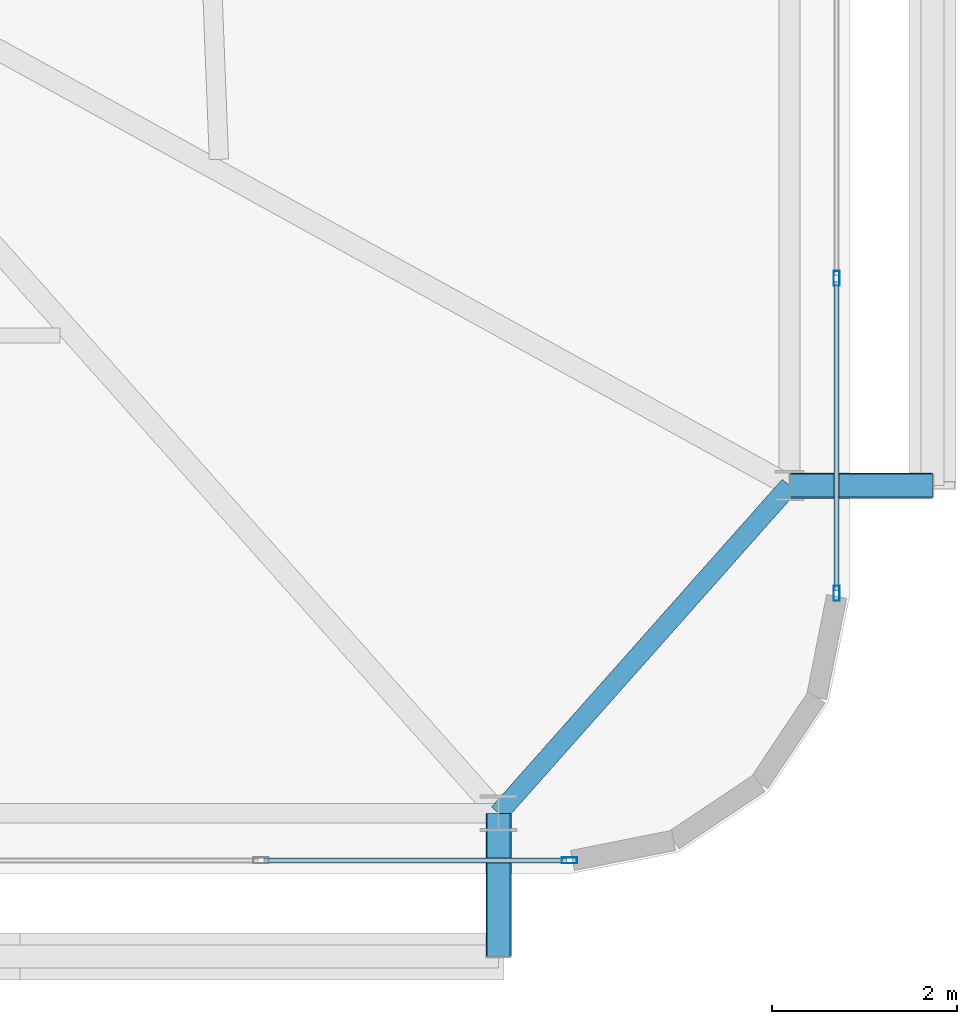
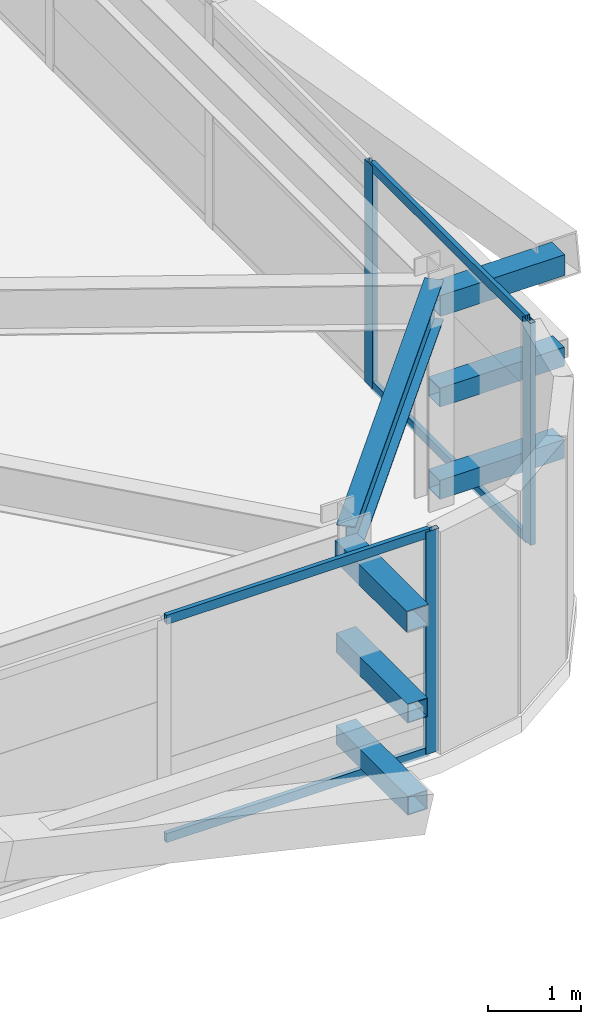
# One storey, part 24 of 58: 13 members, 1 beam, 2 elements without a shape of their own.
"""IFC4 building model written with IfcOpenShell, lengths in metres."""

from ifc_helpers import new_model, si_unit, direction, frame, origin, origin_2d, place, context, subcontext, project, spatial, hollow_rectangle, i_section, extrude, source, transform, mapped, material, layer, layer_set, material_profile, profile_set, type_object, element, aggregate, save


model = new_model("IFC4")

# Units and contexts
model_context = context("Model", 3, precision=1e-05, world=origin(), true_north=direction((0.0, 1.0)))
body_context = subcontext(model_context, "Body", "Model", "MODEL_VIEW")
ifc_project = project(units=[si_unit("LENGTHUNIT", "METRE"), si_unit("AREAUNIT", "SQUARE_METRE"), si_unit("VOLUMEUNIT", "CUBIC_METRE"), si_unit("PLANEANGLEUNIT", "RADIAN"), si_unit("MASSUNIT", "GRAM", prefix="KILO")], contexts=[model_context])

# Site, building, storey
site_placement = place(None, origin())
site = spatial("IfcSite", under=ifc_project, at=site_placement, CompositionType="ELEMENT")
building_placement = place(site_placement, origin())
building = spatial("IfcBuilding", under=site, at=building_placement, Name="Taldren Reach Tower", CompositionType="ELEMENT")
storey_placement = place(building_placement, frame((0.0, 0.0, 32.550048828125)))
storey = spatial("IfcBuildingStorey", under=building, at=storey_placement, Name="L09", CompositionType="ELEMENT", Elevation=32.550048828125)

# Beam
ifc_material_1 = material(Name="Steel Gr 350 (350PLUS)", Category="steel")
ifc_material_profile_1 = material_profile(ifc_material_1, i_section(OverallWidth=0.208984375, OverallDepth=0.528076171875, WebThickness=0.009521484375, FlangeThickness=0.01318359375, at=origin_2d()), Name="530UB82.0")
ifc_profile_set_1 = profile_set([ifc_material_profile_1], Name="Steel Gr 350 (350PLUS)")
beam_type = type_object("IfcBeamType", Name="SP-UB530B", PredefinedType="SPANDREL", material=ifc_profile_set_1)
shared_shape_1 = source(origin(), body_context, "Body", "SweptSolid", [
    extrude(i_section(OverallWidth=0.208984375, OverallDepth=0.528076171875, WebThickness=0.009521484375, FlangeThickness=0.01318359375, at=origin_2d()), origin(), (0.0, 0.0, 1.0), 4.74609375),
])
beam_placement = place(storey_placement, frame((61.199951171875, 2.14990234375, 2.666015625), z_axis=(0.663721843779, 0.747979487747, 0.0), x_axis=(-0.747979487747, 0.663721843779, 0.0)))
element("IfcBeam", 1, at=beam_placement, inside=storey, type_object=beam_type, Name="Perimeter spandrel B1 S6-E1 L09", PredefinedType="SPANDREL", context=body_context, shape_type="MappedRepresentation", body=[
    mapped(shared_shape_1, transform((0.0, 0.0, 0.0), scale=1.0)),
])

# Members
ifc_material_2 = material(Name="Steel Gr 450 (C450L0)", Category="steel")
ifc_material_profile_2 = material_profile(ifc_material_2, hollow_rectangle(XDim=0.27490234375, YDim=0.27490234375, WallThickness=0.00927734375, at=origin_2d()), Name="275x275x9.3SHS")
ifc_profile_set_2 = profile_set([ifc_material_profile_2], Name="Steel Gr 450 (C450L0)")
member_type_1 = type_object("IfcMemberType", Name="MB-TIE273", PredefinedType="STRUT", material=ifc_profile_set_2)
shared_shape_2 = source(origin(), body_context, "Body", "SweptSolid", [
    extrude(hollow_rectangle(XDim=0.27490234375, YDim=0.27490234375, WallThickness=0.00927734375, at=origin_2d()), origin(), (0.0, 0.0, 1.0), 1.5498046875),
])
for number, where, z_axis, x_axis, name in (
    (2, (61.199951171875, 2.14990234375, 2.64990234375), (0.0, -1.0, 0.0), (1.0, 0.0, 0.0), "Exoskeleton diaphragm tie strut B1-S6 L09"),
    (3, (64.35009765625, 5.699951171875, 2.64990234375), (1.0, 0.0, 0.0), (0.0, 1.0, 0.0), "Exoskeleton diaphragm tie strut B1-E1 L09"),
):
    element("IfcMember", number, at=place(storey_placement, frame(where, z_axis=z_axis, x_axis=x_axis)), inside=storey, type_object=member_type_1, Name=name, PredefinedType="STRUT", context=body_context, shape_type="MappedRepresentation", body=[
        mapped(shared_shape_2, transform((0.0, 0.0, 0.0), scale=1.0)),
    ])
ifc_material_3 = material(Name="Steel Gr 350 (C350L0)", Category="steel")
ifc_material_profile_3 = material_profile(ifc_material_3, hollow_rectangle(XDim=0.25, YDim=0.25, WallThickness=0.010009765625, at=origin_2d()), Name="250x250x10.0SHS")
ifc_profile_set_3 = profile_set([ifc_material_profile_3], Name="Steel Gr 350 (C350L0)")
member_type_2 = type_object("IfcMemberType", Name="MB-POST250", PredefinedType="POST", material=ifc_profile_set_3)
shared_shape_3 = source(origin(), body_context, "Body", "SweptSolid", [
    extrude(hollow_rectangle(XDim=0.25, YDim=0.25, WallThickness=0.010009765625, at=origin_2d()), origin(), (0.0, 0.0, 1.0), 1.5498046875),
])
for number, where, z_axis, x_axis, name in (
    (4, (61.199951171875, 2.14990234375, 0.219970703125), (0.0, -1.0, 0.0), (1.0, 0.0, 0.0), "Exoskeleton base diaphragm tie strut B1-S6 L09"),
    (5, (64.35009765625, 5.699951171875, 0.219970703125), (1.0, 0.0, 0.0), (0.0, 1.0, 0.0), "Exoskeleton base diaphragm tie strut B1-E1 L09"),
    (6, (61.199951171875, 2.14990234375, 1.43505859375), (0.0, -1.0, 0.0), (1.0, 0.0, 0.0), "Exoskeleton mid-tier diaphragm tie B1-S6 L09"),
    (7, (64.35009765625, 5.699951171875, 1.43505859375), (1.0, 0.0, 0.0), (0.0, 1.0, 0.0), "Exoskeleton mid-tier diaphragm tie B1-E1 L09"),
):
    element("IfcMember", number, at=place(storey_placement, frame(where, z_axis=z_axis, x_axis=x_axis)), inside=storey, type_object=member_type_2, Name=name, PredefinedType="POST", context=body_context, shape_type="MappedRepresentation", body=[
        mapped(shared_shape_3, transform((0.0, 0.0, 0.0), scale=1.0)),
    ])

# Curtain wall, member
ifc_material_4 = material(Name="Aluminium and Low-E Glass Unitised System", Category="aluminium")
ifc_layer = layer(ifc_material_4, 0.159912109375)
ifc_layer_set = layer_set([ifc_layer], Name="Aluminium and Low-E Glass Unitised System")
curtain_wall_type = type_object("IfcCurtainWallType", Name="CW-SYS-2", PredefinedType="NOTDEFINED", material=ifc_layer_set)
curtain_wall_1_placement = place(storey_placement, origin())
curtain_wall_1 = element("IfcCurtainWall", 8, at=curtain_wall_1_placement, inside=storey, type_object=curtain_wall_type, Name="Unitised curtain wall CW-L09-S", PredefinedType="NOTDEFINED")
ifc_material_5 = material(Name="Anodised Aluminium 6063-T6", Category="aluminium")
ifc_material_profile_4 = material_profile(ifc_material_5, hollow_rectangle(XDim=0.06494140625, YDim=0.1650390625, WallThickness=0.00390625, at=origin_2d()), Name="ALU-165x65x4RHS")
ifc_profile_set_4 = profile_set([ifc_material_profile_4], Name="Anodised Aluminium 6063-T6")
member_type_3 = type_object("IfcMemberType", Name="CW-MUL-165", PredefinedType="MULLION", material=ifc_profile_set_4)
shared_shape_4 = source(origin(), body_context, "Body", "SweptSolid", [
    extrude(hollow_rectangle(XDim=0.06494140625, YDim=0.1650390625, WallThickness=0.00390625, at=origin_2d()), origin(), (0.0, 0.0, 1.0), 2.929931640625),
])
member_1_placement = place(storey_placement, frame((61.967529296875, 1.639892578125, 0.0), z_axis=(0.0, 0.0, 1.0), x_axis=(0.0, 1.0, 0.0)))
member_1 = element("IfcMember", 9, at=member_1_placement, type_object=member_type_3, Name="CW-2 mullion 17", PredefinedType="MULLION", context=body_context, shape_type="MappedRepresentation", body=[
    mapped(shared_shape_4, transform((0.0, 0.0, 0.0), scale=1.0)),
])

# Curtain wall, members
curtain_wall_2_placement = place(storey_placement, origin())
curtain_wall_2 = element("IfcCurtainWall", 10, at=curtain_wall_2_placement, inside=storey, type_object=curtain_wall_type, Name="Unitised curtain wall CW-L09-E", PredefinedType="NOTDEFINED")
member_2_placement = place(storey_placement, frame((64.860107421875, 4.532470703125, 0.0), z_axis=(0.0, 0.0, 1.0), x_axis=(-1.0, 0.0, 0.0)))
member_2 = element("IfcMember", 11, at=member_2_placement, type_object=member_type_3, Name="CW-2 mullion 1", PredefinedType="MULLION", context=body_context, shape_type="MappedRepresentation", body=[
    mapped(shared_shape_4, transform((0.0, 0.0, 0.0), scale=1.0)),
])
member_3_placement = place(storey_placement, frame((64.860107421875, 7.9443359375, 0.0), z_axis=(0.0, 0.0, 1.0), x_axis=(-1.0, 0.0, 0.0)))
member_3 = element("IfcMember", 12, at=member_3_placement, type_object=member_type_3, Name="CW-2 mullion 2", PredefinedType="MULLION", context=body_context, shape_type="MappedRepresentation", body=[
    mapped(shared_shape_4, transform((0.0, 0.0, 0.0), scale=1.0)),
])

# Member
ifc_material_profile_5 = material_profile(ifc_material_5, hollow_rectangle(XDim=0.054931640625, YDim=0.1201171875, WallThickness=0.0029296875, at=origin_2d()), Name="ALU-120x55x3RHS")
ifc_profile_set_5 = profile_set([ifc_material_profile_5], Name="Anodised Aluminium 6063-T6")
member_type_4 = type_object("IfcMemberType", Name="CW-TRN-135", PredefinedType="USERDEFINED", material=ifc_profile_set_5)
shared_shape_5 = source(origin(), body_context, "Body", "SweptSolid", [
    extrude(hollow_rectangle(XDim=0.054931640625, YDim=0.1201171875, WallThickness=0.0029296875, at=origin_2d()), origin(), (0.0, 0.0, 1.0), 3.277587890625),
])
member_4_placement = place(storey_placement, frame((58.657470703125, 1.639892578125, 0.02734375), z_axis=(1.0, 0.0, 0.0), x_axis=(0.0, 1.0, 0.0)))
member_4 = element("IfcMember", 13, at=member_4_placement, type_object=member_type_4, Name="CW-2 transom 16.1", ObjectType="TRANSOM", PredefinedType="USERDEFINED", context=body_context, shape_type="MappedRepresentation", body=[
    mapped(shared_shape_5, transform((0.0, 0.0, 0.0), scale=1.0)),
])

member_5_placement = place(storey_placement, frame((58.657470703125, 1.639892578125, 2.90234375), z_axis=(1.0, 0.0, 0.0), x_axis=(0.0, 1.0, 0.0)))
member_5 = element("IfcMember", 14, at=member_5_placement, type_object=member_type_4, Name="CW-2 transom 16.2", ObjectType="TRANSOM", PredefinedType="USERDEFINED", context=body_context, shape_type="MappedRepresentation", body=[
    mapped(shared_shape_5, transform((0.0, 0.0, 0.0), scale=1.0)),
])

aggregate(curtain_wall_1, [member_1, member_4, member_5])

shared_shape_6 = source(origin(), body_context, "Body", "SweptSolid", [
    extrude(hollow_rectangle(XDim=0.054931640625, YDim=0.1201171875, WallThickness=0.0029296875, at=origin_2d()), origin(), (0.0, 0.0, 1.0), 3.346923828125),
])
member_6_placement = place(storey_placement, frame((64.860107421875, 4.56494140625, 0.02734375), z_axis=(0.0, 1.0, 0.0), x_axis=(-1.0, 0.0, 0.0)))
member_6 = element("IfcMember", 15, at=member_6_placement, type_object=member_type_4, Name="CW-2 transom 1.1", ObjectType="TRANSOM", PredefinedType="USERDEFINED", context=body_context, shape_type="MappedRepresentation", body=[
    mapped(shared_shape_6, transform((0.0, 0.0, 0.0), scale=1.0)),
])

member_7_placement = place(storey_placement, frame((64.860107421875, 4.56494140625, 2.90234375), z_axis=(0.0, 1.0, 0.0), x_axis=(-1.0, 0.0, 0.0)))
member_7 = element("IfcMember", 16, at=member_7_placement, type_object=member_type_4, Name="CW-2 transom 1.2", ObjectType="TRANSOM", PredefinedType="USERDEFINED", context=body_context, shape_type="MappedRepresentation", body=[
    mapped(shared_shape_6, transform((0.0, 0.0, 0.0), scale=1.0)),
])

aggregate(curtain_wall_2, [member_2, member_3, member_6, member_7])

save(model, "model.ifc")
